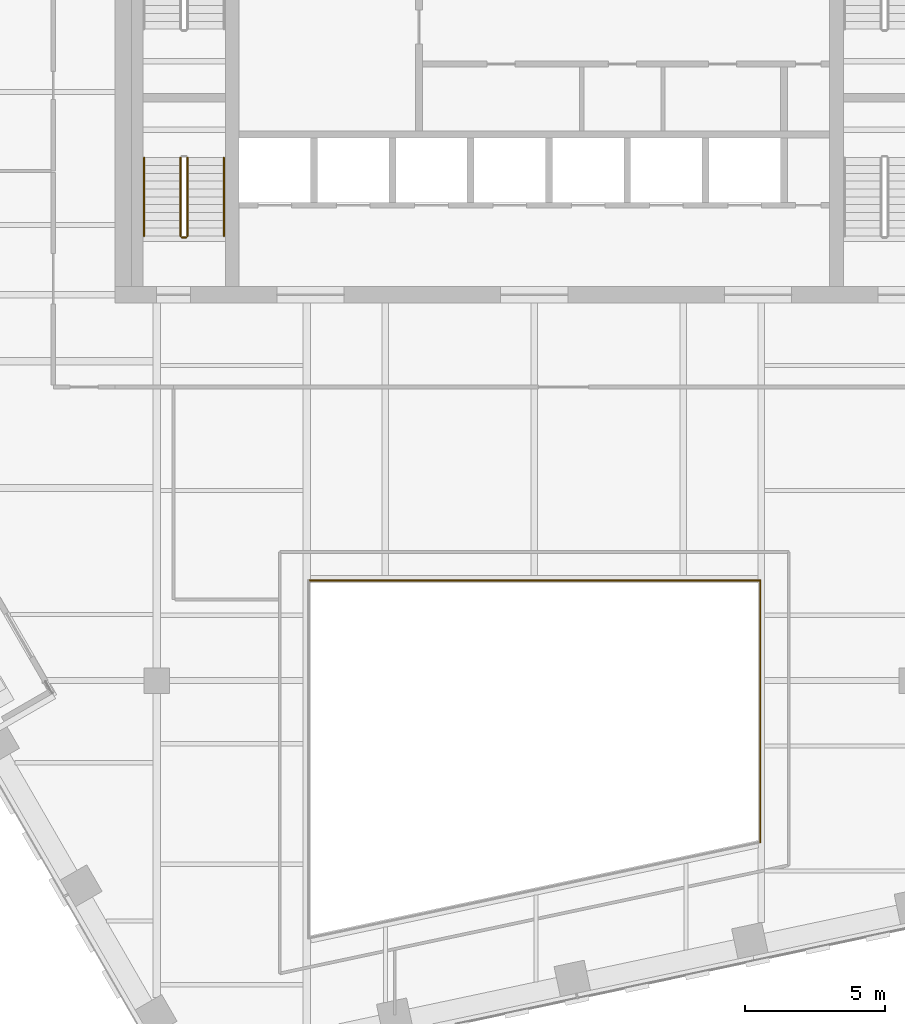
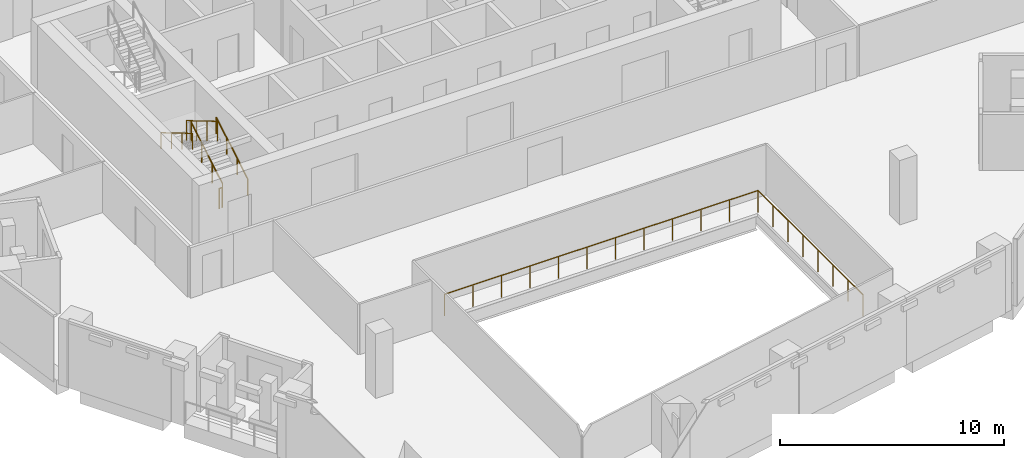
# One storey, part 20 of 24: 7 railings.
"""IFC4 building model written with IfcOpenShell, lengths in metres."""

from ifc_helpers import new_model, si_unit, direction, frame, origin, origin_2d, place, context, subcontext, project, spatial, circle, extrude, material, type_object, element, save


model = new_model("IFC4")

# Units and contexts
model_context = context("Model", 3, precision=1e-05, world=origin(), true_north=direction((0.0, 1.0)))
body_context = subcontext(model_context, "Body", "Model", "MODEL_VIEW")
ifc_project = project(units=[si_unit("LENGTHUNIT", "METRE"), si_unit("AREAUNIT", "SQUARE_METRE"), si_unit("VOLUMEUNIT", "CUBIC_METRE"), si_unit("PLANEANGLEUNIT", "RADIAN"), si_unit("MASSUNIT", "GRAM", prefix="KILO")], contexts=[model_context])

# Site, building, storey
site_placement = place(None, origin())
site = spatial("IfcSite", under=ifc_project, at=site_placement, CompositionType="ELEMENT")
building_placement = place(site_placement, origin())
building = spatial("IfcBuilding", under=site, at=building_placement, Name="Isthmus Gate Tower", CompositionType="ELEMENT")
storey_placement = place(building_placement, frame((0.0, 0.0, 234.550048828125)))
storey = spatial("IfcBuildingStorey", under=building, at=storey_placement, Name="L59", CompositionType="ELEMENT", Elevation=234.550048828125)

# Railings
ifc_material_1 = material(Name="Laminated toughened glass balustrade with steel rail", Category="steel")
railing_type_1 = type_object("IfcRailingType", Name="ATRIUM GUARD GLASS BALUSTRADE 1200", PredefinedType="GUARDRAIL", material=ifc_material_1)
railing_1_placement = place(storey_placement, frame((-8.080078125, -9.919921875, 0.0)))
element("IfcRailing", 1, at=railing_1_placement, inside=storey, type_object=railing_type_1, Name="L59 atrium guard", PredefinedType="GUARDRAIL", context=body_context, shape_type="SweptSolid", body=[
    extrude(circle(Radius=0.02490234375, at=origin_2d()), frame((0.0, 0.0, 1.1748046875), z_axis=(1.0, 0.0, 0.0), x_axis=(0.0, 1.0, 0.0)), (0.0, 0.0, 1.0), 16.16015625),
    extrude(circle(Radius=0.02490234375, at=origin_2d()), origin(), (0.0, 0.0, 1.0), 1.14990234375),
    extrude(circle(Radius=0.02490234375, at=origin_2d()), frame((1.468994140625, 0.0, 0.0)), (0.0, 0.0, 1.0), 1.14990234375),
    extrude(circle(Radius=0.02490234375, at=origin_2d()), frame((2.938232421875, 0.0, 0.0)), (0.0, 0.0, 1.0), 1.14990234375),
    extrude(circle(Radius=0.02490234375, at=origin_2d()), frame((4.4072265625, 0.0, 0.0)), (0.0, 0.0, 1.0), 1.14990234375),
    extrude(circle(Radius=0.02490234375, at=origin_2d()), frame((5.87646484375, 0.0, 0.0)), (0.0, 0.0, 1.0), 1.14990234375),
    extrude(circle(Radius=0.02490234375, at=origin_2d()), frame((7.345458984375, 0.0, 0.0)), (0.0, 0.0, 1.0), 1.14990234375),
    extrude(circle(Radius=0.02490234375, at=origin_2d()), frame((8.814697265625, 0.0, 0.0)), (0.0, 0.0, 1.0), 1.14990234375),
    extrude(circle(Radius=0.02490234375, at=origin_2d()), frame((10.28369140625, 0.0, 0.0)), (0.0, 0.0, 1.0), 1.14990234375),
    extrude(circle(Radius=0.02490234375, at=origin_2d()), frame((11.7529296875, 0.0, 0.0)), (0.0, 0.0, 1.0), 1.14990234375),
    extrude(circle(Radius=0.02490234375, at=origin_2d()), frame((13.221923828125, 0.0, 0.0)), (0.0, 0.0, 1.0), 1.14990234375),
    extrude(circle(Radius=0.02490234375, at=origin_2d()), frame((14.691162109375, 0.0, 0.0)), (0.0, 0.0, 1.0), 1.14990234375),
    extrude(circle(Radius=0.02490234375, at=origin_2d()), frame((16.16015625, 0.0, 0.0)), (0.0, 0.0, 1.0), 1.14990234375),
])
railing_2_placement = place(storey_placement, frame((8.080078125, -9.919921875, 0.0)))
element("IfcRailing", 2, at=railing_2_placement, inside=storey, type_object=railing_type_1, Name="L59 atrium guard", PredefinedType="GUARDRAIL", context=body_context, shape_type="SweptSolid", body=[
    extrude(circle(Radius=0.02490234375, at=origin_2d()), frame((0.0, 0.0, 1.1748046875), z_axis=(0.0, -1.0, 0.0), x_axis=(1.0, 0.0, 0.0)), (0.0, 0.0, 1.0), 9.35498046875),
    extrude(circle(Radius=0.02490234375, at=origin_2d()), origin(), (0.0, 0.0, 1.0), 1.14990234375),
    extrude(circle(Radius=0.02490234375, at=origin_2d()), frame((0.0, -1.33642578125, 0.0)), (0.0, 0.0, 1.0), 1.14990234375),
    extrude(circle(Radius=0.02490234375, at=origin_2d()), frame((0.0, -2.6728515625, 0.0)), (0.0, 0.0, 1.0), 1.14990234375),
    extrude(circle(Radius=0.02490234375, at=origin_2d()), frame((0.0, -4.00927734375, 0.0)), (0.0, 0.0, 1.0), 1.14990234375),
    extrude(circle(Radius=0.02490234375, at=origin_2d()), frame((0.0, -5.345703125, 0.0)), (0.0, 0.0, 1.0), 1.14990234375),
    extrude(circle(Radius=0.02490234375, at=origin_2d()), frame((0.0, -6.68212890625, 0.0)), (0.0, 0.0, 1.0), 1.14990234375),
    extrude(circle(Radius=0.02490234375, at=origin_2d()), frame((0.0, -8.0185546875, 0.0)), (0.0, 0.0, 1.0), 1.14990234375),
    extrude(circle(Radius=0.02490234375, at=origin_2d()), frame((0.0, -9.35498046875, 0.0)), (0.0, 0.0, 1.0), 1.14990234375),
])
ifc_material_2 = material(Name="Stainless steel balustrade", Category="steel")
railing_type_2 = type_object("IfcRailingType", Name="STAIR GUARD 1100", PredefinedType="GUARDRAIL", material=ifc_material_2)
railing_3_placement = place(storey_placement, frame((-12.39990234375, 2.39990234375, 0.165771484375)))
element("IfcRailing", 3, at=railing_3_placement, inside=storey, type_object=railing_type_2, Name="L59 ST7 stair guard 1", PredefinedType="GUARDRAIL", context=body_context, shape_type="SweptSolid", body=[
    extrude(circle(Radius=0.02392578125, at=origin_2d()), frame((0.0, 0.0, 1.076171875), z_axis=(0.0, 0.860306154799, 0.50977771628), x_axis=(-1.0, 0.0, 0.0)), (0.0, 0.0, 1.0), 3.254638671875),
    extrude(circle(Radius=0.02099609375, at=origin_2d()), origin(), (0.0, 0.0, 1.0), 1.052001953125),
    extrude(circle(Radius=0.02099609375, at=origin_2d()), frame((0.0, 0.933349609375, 0.552978515625)), (0.0, 0.0, 1.0), 1.052001953125),
    extrude(circle(Radius=0.02099609375, at=origin_2d()), frame((0.0, 1.86669921875, 1.106201171875)), (0.0, 0.0, 1.0), 1.052001953125),
    extrude(circle(Radius=0.02099609375, at=origin_2d()), frame((0.0, 2.800048828125, 1.6591796875)), (0.0, 0.0, 1.0), 1.052001953125),
])
railing_4_placement = place(storey_placement, frame((-12.64990234375, 5.199951171875, 1.990966796875)))
element("IfcRailing", 4, at=railing_4_placement, inside=storey, type_object=railing_type_2, Name="L59 ST7 stair guard 3", PredefinedType="GUARDRAIL", context=body_context, shape_type="SweptSolid", body=[
    extrude(circle(Radius=0.02392578125, at=origin_2d()), frame((0.0, 0.0, 1.076171875), z_axis=(0.0, -0.860339051648, 0.50972219513), x_axis=(1.0, 0.0, 0.0)), (0.0, 0.0, 1.0), 3.254638671875),
    extrude(circle(Radius=0.02099609375, at=origin_2d()), origin(), (0.0, 0.0, 1.0), 1.052001953125),
    extrude(circle(Radius=0.02099609375, at=origin_2d()), frame((0.0, -0.933349609375, 0.552978515625)), (0.0, 0.0, 1.0), 1.052001953125),
    extrude(circle(Radius=0.02099609375, at=origin_2d()), frame((0.0, -1.86669921875, 1.10595703125)), (0.0, 0.0, 1.0), 1.052001953125),
    extrude(circle(Radius=0.02099609375, at=origin_2d()), frame((0.0, -2.800048828125, 1.658935546875)), (0.0, 0.0, 1.0), 1.052001953125),
])
railing_5_placement = place(storey_placement, frame((-12.449951171875, 2.35009765625, 0.0)))
element("IfcRailing", 5, at=railing_5_placement, inside=storey, type_object=railing_type_2, Name="L59 ST7 stair guard 4", PredefinedType="GUARDRAIL", context=body_context, shape_type="SweptSolid", body=[
    extrude(circle(Radius=0.02392578125, at=origin_2d()), frame((0.0, 0.0, 1.076171875), z_axis=(-1.0, 0.0, 0.0), x_axis=(0.0, -1.0, 0.0)), (0.0, 0.0, 1.0), 0.150146484375),
    extrude(circle(Radius=0.02099609375, at=origin_2d()), origin(), (0.0, 0.0, 1.0), 1.052001953125),
    extrude(circle(Radius=0.02099609375, at=origin_2d()), frame((-0.150146484375, 0.0, 0.0)), (0.0, 0.0, 1.0), 1.052001953125),
])
ifc_material_3 = material(Name="Stainless steel handrail", Category="steel")
railing_type_3 = type_object("IfcRailingType", Name="STAIR HANDRAIL 900", PredefinedType="HANDRAIL", material=ifc_material_3)
railing_6_placement = place(storey_placement, frame((-11.10009765625, 2.39990234375, 0.165771484375)))
element("IfcRailing", 6, at=railing_6_placement, inside=storey, type_object=railing_type_3, Name="L59 ST7 stair handrail 1", PredefinedType="HANDRAIL", context=body_context, shape_type="SweptSolid", body=[
    extrude(circle(Radius=0.02392578125, at=origin_2d()), frame((0.0, 0.0, 0.8759765625), z_axis=(0.0, 0.860306154799, 0.50977771628), x_axis=(-1.0, 0.0, 0.0)), (0.0, 0.0, 1.0), 3.254638671875),
    extrude(circle(Radius=0.02099609375, at=origin_2d()), origin(), (0.0, 0.0, 1.0), 0.851806640625),
    extrude(circle(Radius=0.02099609375, at=origin_2d()), frame((0.0, 0.933349609375, 0.552978515625)), (0.0, 0.0, 1.0), 0.851806640625),
    extrude(circle(Radius=0.02099609375, at=origin_2d()), frame((0.0, 1.86669921875, 1.106201171875)), (0.0, 0.0, 1.0), 0.851806640625),
    extrude(circle(Radius=0.02099609375, at=origin_2d()), frame((0.0, 2.800048828125, 1.6591796875)), (0.0, 0.0, 1.0), 0.851806640625),
])
railing_7_placement = place(storey_placement, frame((-13.949951171875, 5.199951171875, 1.990966796875)))
element("IfcRailing", 7, at=railing_7_placement, inside=storey, type_object=railing_type_3, Name="L59 ST7 stair handrail 2", PredefinedType="HANDRAIL", context=body_context, shape_type="SweptSolid", body=[
    extrude(circle(Radius=0.02392578125, at=origin_2d()), frame((0.0, 0.0, 0.8759765625), z_axis=(0.0, -0.860339051648, 0.50972219513), x_axis=(1.0, 0.0, 0.0)), (0.0, 0.0, 1.0), 3.254638671875),
    extrude(circle(Radius=0.02099609375, at=origin_2d()), origin(), (0.0, 0.0, 1.0), 0.851806640625),
    extrude(circle(Radius=0.02099609375, at=origin_2d()), frame((0.0, -0.933349609375, 0.552978515625)), (0.0, 0.0, 1.0), 0.851806640625),
    extrude(circle(Radius=0.02099609375, at=origin_2d()), frame((0.0, -1.86669921875, 1.10595703125)), (0.0, 0.0, 1.0), 0.851806640625),
    extrude(circle(Radius=0.02099609375, at=origin_2d()), frame((0.0, -2.800048828125, 1.658935546875)), (0.0, 0.0, 1.0), 0.851806640625),
])

save(model, "model.ifc")
